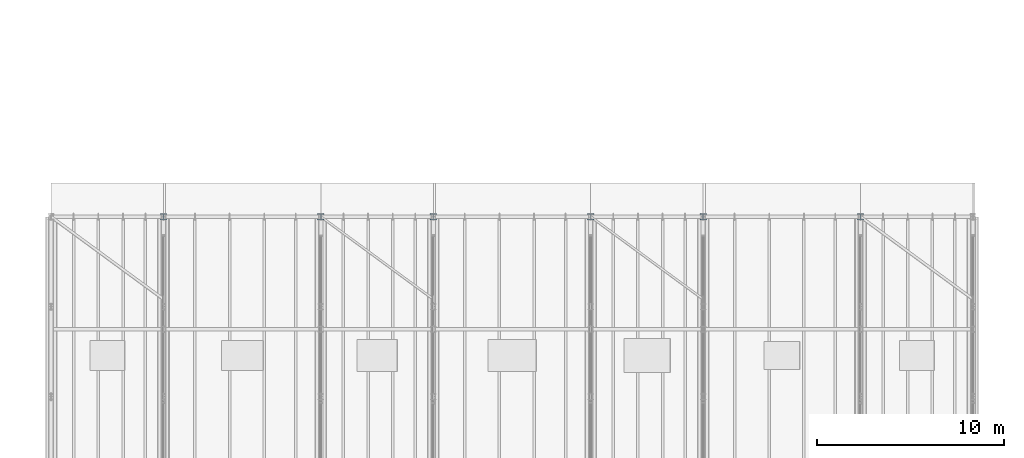
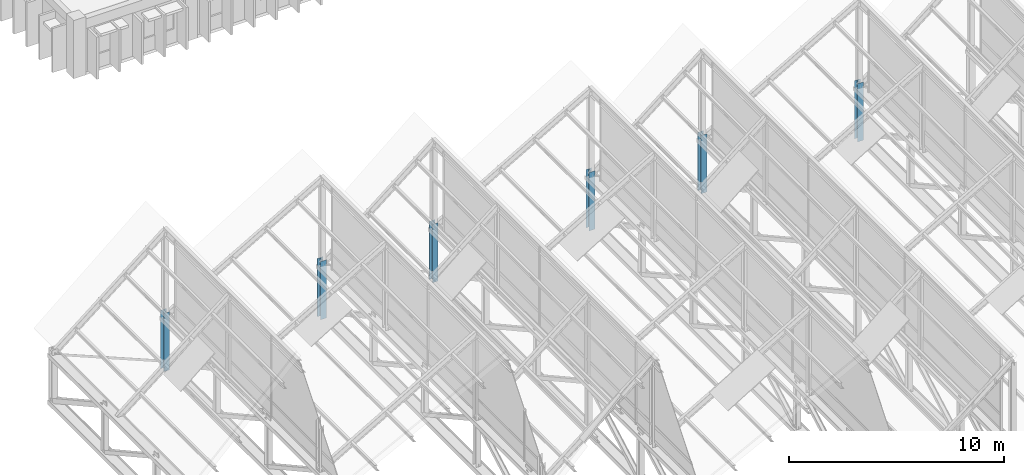
# One storey, part 9 of 101: 6 columns.
"""IFC4 building model written with IfcOpenShell, lengths in metres."""

from ifc_helpers import new_model, si_unit, direction, frame, origin, origin_2d, place, context, subcontext, project, spatial, i_section, extrude, material, material_profile, profile_set, type_object, element, save


model = new_model("IFC4")

# Units and contexts
model_context = context("Model", 3, precision=1e-05, world=origin(), true_north=direction((0.0, 1.0)))
body_context = subcontext(model_context, "Body", "Model", "MODEL_VIEW")
ifc_project = project(units=[si_unit("LENGTHUNIT", "METRE"), si_unit("AREAUNIT", "SQUARE_METRE"), si_unit("VOLUMEUNIT", "CUBIC_METRE"), si_unit("PLANEANGLEUNIT", "RADIAN"), si_unit("MASSUNIT", "GRAM", prefix="KILO"), si_unit("THERMODYNAMICTEMPERATUREUNIT", "KELVIN")], contexts=[model_context])

# Site, building, storey
site_placement = place(None, origin())
site = spatial("IfcSite", under=ifc_project, at=site_placement, CompositionType="ELEMENT")
building_placement = place(site_placement, origin())
building = spatial("IfcBuilding", under=site, at=building_placement, Name="Thalorik Housing Commons", CompositionType="ELEMENT")
storey_placement = place(building_placement, frame((0.0, 0.0, 8.10009765625)))
storey = spatial("IfcBuildingStorey", under=building, at=storey_placement, Name="L02", CompositionType="ELEMENT", Elevation=8.10009765625)

# Columns
ifc_material = material(Name="Steel S355", Category="steel")
ifc_material_profile = material_profile(ifc_material, i_section(OverallWidth=0.31005859375, OverallDepth=0.30810546875, WebThickness=0.015380859375, FlangeThickness=0.015380859375, FilletRadius=0.011962890625, at=origin_2d()), Name="HP310x110", Category="steel")
ifc_profile_set = profile_set([ifc_material_profile], Name="Steel S355")
column_type = type_object("IfcColumnType", Name="STR-COL-HP310", PredefinedType="COLUMN", material=ifc_profile_set)
for number, where, z_axis, x_axis, name in (
    (1, (72.0, 86.39990234375, 0.0), (0.0, 0.0, 1.0), (1.0, 0.0, 0.0), "L02 Hall Sawtooth Bearing Column 2N"),
    (2, (80.39990234375, 86.39990234375, 0.0), (0.0, 0.0, 1.0), (1.0, 0.0, 0.0), "L02 Hall Sawtooth Bearing Column 3N"),
    (3, (86.39990234375, 86.39990234375, 0.0), (0.0, 0.0, 1.0), (1.0, 0.0, 0.0), "L02 Hall Sawtooth Bearing Column 4N"),
    (4, (94.800048828125, 86.39990234375, 0.0), (0.0, 0.0, 1.0), (1.0, 0.0, 0.0), "L02 Hall Sawtooth Bearing Column 5N"),
    (5, (100.800048828125, 86.39990234375, 0.0), (0.0, 0.0, 1.0), (1.0, 0.0, 0.0), "L02 Hall Sawtooth Bearing Column 6N"),
    (6, (109.199951171875, 86.39990234375, 0.0), (0.0, 0.0, 1.0), (1.0, 0.0, 0.0), "L02 Hall Sawtooth Bearing Column 7N"),
):
    element("IfcColumn", number, at=place(storey_placement, frame(where, z_axis=z_axis, x_axis=x_axis)), inside=storey, type_object=column_type, Name=name, PredefinedType="COLUMN", context=body_context, shape_type="SweptSolid", body=[
        extrude(i_section(OverallWidth=0.31005859375, OverallDepth=0.30810546875, WebThickness=0.015380859375, FlangeThickness=0.015380859375, FilletRadius=0.011962890625, at=origin_2d()), origin(), (0.0, 0.0, 1.0), 3.2998046875),
    ])

save(model, "model.ifc")
